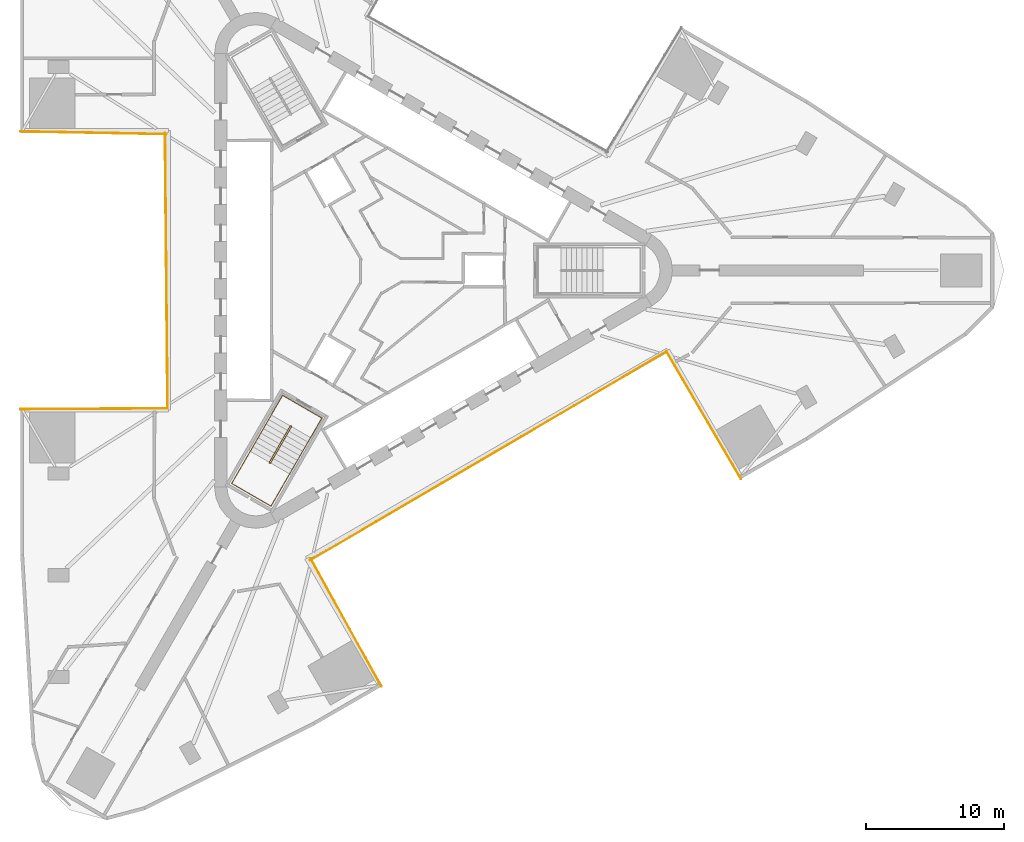
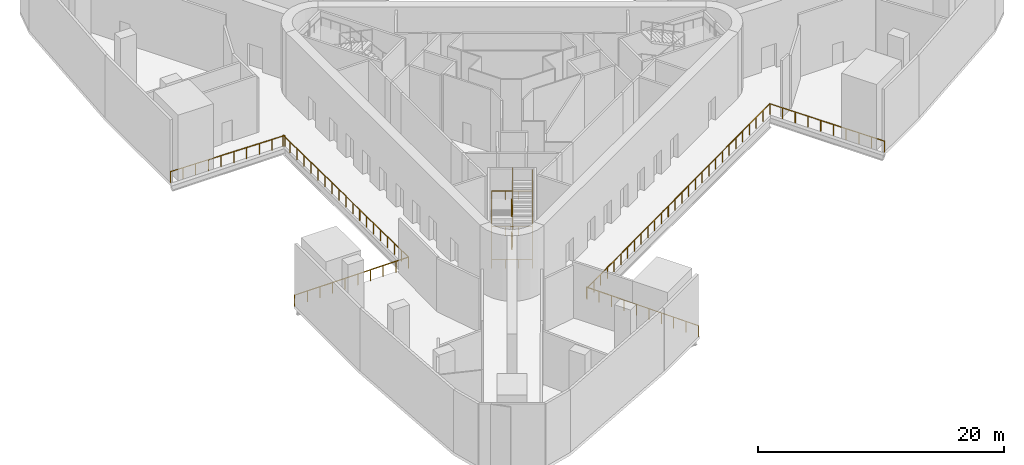
# One storey, part 9 of 11: 11 railings.
"""IFC4 building model written with IfcOpenShell, lengths in metres."""

from ifc_helpers import new_model, si_unit, direction, frame, origin, origin_2d, place, context, subcontext, project, spatial, circle, extrude, material, type_object, element, save


model = new_model("IFC4")

# Units and contexts
model_context = context("Model", 3, precision=1e-05, world=origin(), true_north=direction((0.0, 1.0)))
body_context = subcontext(model_context, "Body", "Model", "MODEL_VIEW")
ifc_project = project(units=[si_unit("LENGTHUNIT", "METRE"), si_unit("AREAUNIT", "SQUARE_METRE"), si_unit("VOLUMEUNIT", "CUBIC_METRE"), si_unit("PLANEANGLEUNIT", "RADIAN"), si_unit("MASSUNIT", "GRAM", prefix="KILO")], contexts=[model_context])

# Site, building, storey
site_placement = place(None, origin())
site = spatial("IfcSite", under=ifc_project, at=site_placement, CompositionType="ELEMENT")
building_placement = place(site_placement, origin())
building = spatial("IfcBuilding", under=site, at=building_placement, Name="Tanit Gate Tower", CompositionType="ELEMENT")
storey_placement = place(building_placement, frame((0.0, 0.0, 9.0)))
storey = spatial("IfcBuildingStorey", under=building, at=storey_placement, Name="L01", CompositionType="ELEMENT", Elevation=9.0)

# Railings
ifc_material_1 = material(Name="Stainless steel", Category="steel")
railing_type_1 = type_object("IfcRailingType", Name="Guard 1100 stainless steel balustrade", PredefinedType="GUARDRAIL", material=ifc_material_1)
railing_1_placement = place(storey_placement, frame((-5.103759765625, -20.9599609375, 0.0)))
element("IfcRailing", 1, at=railing_1_placement, inside=storey, type_object=railing_type_1, Name="Tunnel edge guard L01 1", PredefinedType="GUARDRAIL", context=body_context, shape_type="SweptSolid", body=[
    extrude(circle(Radius=0.02392578125, at=origin_2d()), frame((0.0, 0.0, 1.076171875), z_axis=(0.483623614037, -0.875276070703, 0.0), x_axis=(0.875276070703, 0.483623614037, 0.0)), (0.0, 0.0, 1.0), 10.63134765625),
    extrude(circle(Radius=0.02099609375, at=origin_2d()), origin(), (0.0, 0.0, 1.0), 1.052001953125),
    extrude(circle(Radius=0.02099609375, at=origin_2d()), frame((0.5712890625, -1.033935546875, 0.0)), (0.0, 0.0, 1.0), 1.052001953125),
    extrude(circle(Radius=0.02099609375, at=origin_2d()), frame((1.142578125, -2.06787109375, 0.0)), (0.0, 0.0, 1.0), 1.052001953125),
    extrude(circle(Radius=0.02099609375, at=origin_2d()), frame((1.7138671875, -3.101806640625, 0.0)), (0.0, 0.0, 1.0), 1.052001953125),
    extrude(circle(Radius=0.02099609375, at=origin_2d()), frame((2.28515625, -4.1357421875, 0.0)), (0.0, 0.0, 1.0), 1.052001953125),
    extrude(circle(Radius=0.02099609375, at=origin_2d()), frame((2.8564453125, -5.169677734375, 0.0)), (0.0, 0.0, 1.0), 1.052001953125),
    extrude(circle(Radius=0.02099609375, at=origin_2d()), frame((3.427734375, -6.20361328125, 0.0)), (0.0, 0.0, 1.0), 1.052001953125),
    extrude(circle(Radius=0.02099609375, at=origin_2d()), frame((3.9990234375, -7.237548828125, 0.0)), (0.0, 0.0, 1.0), 1.052001953125),
    extrude(circle(Radius=0.02099609375, at=origin_2d()), frame((4.5703125, -8.271484375, 0.0)), (0.0, 0.0, 1.0), 1.052001953125),
    extrude(circle(Radius=0.02099609375, at=origin_2d()), frame((5.1416015625, -9.305419921875, 0.0)), (0.0, 0.0, 1.0), 1.052001953125),
])
railing_2_placement = place(storey_placement, frame((26.190673828125, -15.16357421875, 0.0)))
element("IfcRailing", 2, at=railing_2_placement, inside=storey, type_object=railing_type_1, Name="Tunnel edge guard L01 2", PredefinedType="GUARDRAIL", context=body_context, shape_type="SweptSolid", body=[
    extrude(circle(Radius=0.02392578125, at=origin_2d()), frame((0.0, 0.0, 1.076171875), z_axis=(-0.50536532766, 0.862905490537, 0.0), x_axis=(-0.862905490537, -0.50536532766, 0.0)), (0.0, 0.0, 1.0), 10.721923828125),
    extrude(circle(Radius=0.02099609375, at=origin_2d()), origin(), (0.0, 0.0, 1.0), 1.052001953125),
    extrude(circle(Radius=0.02099609375, at=origin_2d()), frame((-0.60205078125, 1.028076171875, 0.0)), (0.0, 0.0, 1.0), 1.052001953125),
    extrude(circle(Radius=0.02099609375, at=origin_2d()), frame((-1.2041015625, 2.055908203125, 0.0)), (0.0, 0.0, 1.0), 1.052001953125),
    extrude(circle(Radius=0.02099609375, at=origin_2d()), frame((-1.80615234375, 3.083984375, 0.0)), (0.0, 0.0, 1.0), 1.052001953125),
    extrude(circle(Radius=0.02099609375, at=origin_2d()), frame((-2.408203125, 4.112060546875, 0.0)), (0.0, 0.0, 1.0), 1.052001953125),
    extrude(circle(Radius=0.02099609375, at=origin_2d()), frame((-3.01025390625, 5.139892578125, 0.0)), (0.0, 0.0, 1.0), 1.052001953125),
    extrude(circle(Radius=0.02099609375, at=origin_2d()), frame((-3.6123046875, 6.16796875, 0.0)), (0.0, 0.0, 1.0), 1.052001953125),
    extrude(circle(Radius=0.02099609375, at=origin_2d()), frame((-4.21435546875, 7.196044921875, 0.0)), (0.0, 0.0, 1.0), 1.052001953125),
    extrude(circle(Radius=0.02099609375, at=origin_2d()), frame((-4.81640625, 8.223876953125, 0.0)), (0.0, 0.0, 1.0), 1.052001953125),
    extrude(circle(Radius=0.02099609375, at=origin_2d()), frame((-5.41845703125, 9.251953125, 0.0)), (0.0, 0.0, 1.0), 1.052001953125),
])
railing_3_placement = place(storey_placement, frame((20.772216796875, -5.91162109375, 0.0)))
element("IfcRailing", 3, at=railing_3_placement, inside=storey, type_object=railing_type_1, Name="Tunnel edge guard L01 2", PredefinedType="GUARDRAIL", context=body_context, shape_type="SweptSolid", body=[
    extrude(circle(Radius=0.02392578125, at=origin_2d()), frame((0.0, 0.0, 1.076171875), z_axis=(-0.862766200983, -0.505603087848, 0.0), x_axis=(0.505603087848, -0.862766200983, 0.0)), (0.0, 0.0, 1.0), 10.01123046875),
    extrude(circle(Radius=0.02099609375, at=origin_2d()), origin(), (0.0, 0.0, 1.0), 1.052001953125),
    extrude(circle(Radius=0.02099609375, at=origin_2d()), frame((-0.959716796875, -0.5625, 0.0)), (0.0, 0.0, 1.0), 1.052001953125),
    extrude(circle(Radius=0.02099609375, at=origin_2d()), frame((-1.91943359375, -1.124755859375, 0.0)), (0.0, 0.0, 1.0), 1.052001953125),
    extrude(circle(Radius=0.02099609375, at=origin_2d()), frame((-2.879150390625, -1.687255859375, 0.0)), (0.0, 0.0, 1.0), 1.052001953125),
    extrude(circle(Radius=0.02099609375, at=origin_2d()), frame((-3.8388671875, -2.249755859375, 0.0)), (0.0, 0.0, 1.0), 1.052001953125),
    extrude(circle(Radius=0.02099609375, at=origin_2d()), frame((-4.798583984375, -2.81201171875, 0.0)), (0.0, 0.0, 1.0), 1.052001953125),
    extrude(circle(Radius=0.02099609375, at=origin_2d()), frame((-5.75830078125, -3.37451171875, 0.0)), (0.0, 0.0, 1.0), 1.052001953125),
    extrude(circle(Radius=0.02099609375, at=origin_2d()), frame((-6.718017578125, -3.93701171875, 0.0)), (0.0, 0.0, 1.0), 1.052001953125),
    extrude(circle(Radius=0.02099609375, at=origin_2d()), frame((-7.677734375, -4.499267578125, 0.0)), (0.0, 0.0, 1.0), 1.052001953125),
    extrude(circle(Radius=0.02099609375, at=origin_2d()), frame((-8.637451171875, -5.061767578125, 0.0)), (0.0, 0.0, 1.0), 1.052001953125),
])
railing_4_placement = place(storey_placement, frame((12.134765625, -10.973388671875, 0.0)))
element("IfcRailing", 4, at=railing_4_placement, inside=storey, type_object=railing_type_1, Name="Tunnel edge guard L01 2", PredefinedType="GUARDRAIL", context=body_context, shape_type="SweptSolid", body=[
    extrude(circle(Radius=0.02392578125, at=origin_2d()), frame((0.0, 0.0, 1.076171875), z_axis=(-0.862783072124, -0.505574297662, 0.0), x_axis=(0.505574297662, -0.862783072124, 0.0)), (0.0, 0.0, 1.0), 10.011474609375),
    extrude(circle(Radius=0.02099609375, at=origin_2d()), origin(), (0.0, 0.0, 1.0), 1.052001953125),
    extrude(circle(Radius=0.02099609375, at=origin_2d()), frame((-0.959716796875, -0.5625, 0.0)), (0.0, 0.0, 1.0), 1.052001953125),
    extrude(circle(Radius=0.02099609375, at=origin_2d()), frame((-1.91943359375, -1.124755859375, 0.0)), (0.0, 0.0, 1.0), 1.052001953125),
    extrude(circle(Radius=0.02099609375, at=origin_2d()), frame((-2.879150390625, -1.687255859375, 0.0)), (0.0, 0.0, 1.0), 1.052001953125),
    extrude(circle(Radius=0.02099609375, at=origin_2d()), frame((-3.8388671875, -2.24951171875, 0.0)), (0.0, 0.0, 1.0), 1.052001953125),
    extrude(circle(Radius=0.02099609375, at=origin_2d()), frame((-4.798828125, -2.81201171875, 0.0)), (0.0, 0.0, 1.0), 1.052001953125),
    extrude(circle(Radius=0.02099609375, at=origin_2d()), frame((-5.758544921875, -3.374267578125, 0.0)), (0.0, 0.0, 1.0), 1.052001953125),
    extrude(circle(Radius=0.02099609375, at=origin_2d()), frame((-6.71826171875, -3.936767578125, 0.0)), (0.0, 0.0, 1.0), 1.052001953125),
    extrude(circle(Radius=0.02099609375, at=origin_2d()), frame((-7.677978515625, -4.4990234375, 0.0)), (0.0, 0.0, 1.0), 1.052001953125),
    extrude(circle(Radius=0.02099609375, at=origin_2d()), frame((-8.6376953125, -5.0615234375, 0.0)), (0.0, 0.0, 1.0), 1.052001953125),
])
railing_5_placement = place(storey_placement, frame((3.4970703125, -16.034912109375, 0.0)))
element("IfcRailing", 5, at=railing_5_placement, inside=storey, type_object=railing_type_1, Name="Tunnel edge guard L01 2", PredefinedType="GUARDRAIL", context=body_context, shape_type="SweptSolid", body=[
    extrude(circle(Radius=0.02392578125, at=origin_2d()), frame((0.0, 0.0, 1.076171875), z_axis=(-0.862766200983, -0.505603087848, 0.0), x_axis=(0.505603087848, -0.862766200983, 0.0)), (0.0, 0.0, 1.0), 10.01123046875),
    extrude(circle(Radius=0.02099609375, at=origin_2d()), origin(), (0.0, 0.0, 1.0), 1.052001953125),
    extrude(circle(Radius=0.02099609375, at=origin_2d()), frame((-0.959716796875, -0.5625, 0.0)), (0.0, 0.0, 1.0), 1.052001953125),
    extrude(circle(Radius=0.02099609375, at=origin_2d()), frame((-1.91943359375, -1.124755859375, 0.0)), (0.0, 0.0, 1.0), 1.052001953125),
    extrude(circle(Radius=0.02099609375, at=origin_2d()), frame((-2.879150390625, -1.687255859375, 0.0)), (0.0, 0.0, 1.0), 1.052001953125),
    extrude(circle(Radius=0.02099609375, at=origin_2d()), frame((-3.8388671875, -2.249755859375, 0.0)), (0.0, 0.0, 1.0), 1.052001953125),
    extrude(circle(Radius=0.02099609375, at=origin_2d()), frame((-4.798583984375, -2.81201171875, 0.0)), (0.0, 0.0, 1.0), 1.052001953125),
    extrude(circle(Radius=0.02099609375, at=origin_2d()), frame((-5.75830078125, -3.37451171875, 0.0)), (0.0, 0.0, 1.0), 1.052001953125),
    extrude(circle(Radius=0.02099609375, at=origin_2d()), frame((-6.718017578125, -3.93701171875, 0.0)), (0.0, 0.0, 1.0), 1.052001953125),
    extrude(circle(Radius=0.02099609375, at=origin_2d()), frame((-7.677734375, -4.499267578125, 0.0)), (0.0, 0.0, 1.0), 1.052001953125),
    extrude(circle(Radius=0.02099609375, at=origin_2d()), frame((-8.637451171875, -5.061767578125, 0.0)), (0.0, 0.0, 1.0), 1.052001953125),
])
railing_6_placement = place(storey_placement, frame((-15.60009765625, 9.89990234375, 0.0)))
element("IfcRailing", 6, at=railing_6_placement, inside=storey, type_object=railing_type_1, Name="Tunnel edge guard L01 3", PredefinedType="GUARDRAIL", context=body_context, shape_type="SweptSolid", body=[
    extrude(circle(Radius=0.02392578125, at=origin_2d()), frame((0.0, 0.0, 1.076171875), z_axis=(-0.99982266881, 0.018831647106, 0.0), x_axis=(-0.018831647106, -0.99982266881, 0.0)), (0.0, 0.0, 1.0), 10.630859375),
    extrude(circle(Radius=0.02099609375, at=origin_2d()), origin(), (0.0, 0.0, 1.0), 1.052001953125),
    extrude(circle(Radius=0.02099609375, at=origin_2d()), frame((-1.180908203125, 0.022216796875, 0.0)), (0.0, 0.0, 1.0), 1.052001953125),
    extrude(circle(Radius=0.02099609375, at=origin_2d()), frame((-2.362060546875, 0.04443359375, 0.0)), (0.0, 0.0, 1.0), 1.052001953125),
    extrude(circle(Radius=0.02099609375, at=origin_2d()), frame((-3.54296875, 0.066650390625, 0.0)), (0.0, 0.0, 1.0), 1.052001953125),
    extrude(circle(Radius=0.02099609375, at=origin_2d()), frame((-4.723876953125, 0.0888671875, 0.0)), (0.0, 0.0, 1.0), 1.052001953125),
    extrude(circle(Radius=0.02099609375, at=origin_2d()), frame((-5.905029296875, 0.111328125, 0.0)), (0.0, 0.0, 1.0), 1.052001953125),
    extrude(circle(Radius=0.02099609375, at=origin_2d()), frame((-7.0859375, 0.133544921875, 0.0)), (0.0, 0.0, 1.0), 1.052001953125),
    extrude(circle(Radius=0.02099609375, at=origin_2d()), frame((-8.266845703125, 0.15576171875, 0.0)), (0.0, 0.0, 1.0), 1.052001953125),
    extrude(circle(Radius=0.02099609375, at=origin_2d()), frame((-9.447998046875, 0.177978515625, 0.0)), (0.0, 0.0, 1.0), 1.052001953125),
    extrude(circle(Radius=0.02099609375, at=origin_2d()), frame((-10.62890625, 0.2001953125, 0.0)), (0.0, 0.0, 1.0), 1.052001953125),
])
railing_7_placement = place(storey_placement, frame((-26.227783203125, -10.10009765625, 0.0)))
element("IfcRailing", 7, at=railing_7_placement, inside=storey, type_object=railing_type_1, Name="Tunnel edge guard L01 4", PredefinedType="GUARDRAIL", context=body_context, shape_type="SweptSolid", body=[
    extrude(circle(Radius=0.02392578125, at=origin_2d()), frame((0.0, 0.0, 1.076171875), z_axis=(0.999987666554, 0.004966562124, 0.0), x_axis=(-0.004966562124, 0.999987666554, 0.0)), (0.0, 0.0, 1.0), 10.71630859375),
    extrude(circle(Radius=0.02099609375, at=origin_2d()), origin(), (0.0, 0.0, 1.0), 1.052001953125),
    extrude(circle(Radius=0.02099609375, at=origin_2d()), frame((1.190673828125, 0.005859375, 0.0)), (0.0, 0.0, 1.0), 1.052001953125),
    extrude(circle(Radius=0.02099609375, at=origin_2d()), frame((2.38134765625, 0.01171875, 0.0)), (0.0, 0.0, 1.0), 1.052001953125),
    extrude(circle(Radius=0.02099609375, at=origin_2d()), frame((3.572021484375, 0.017822265625, 0.0)), (0.0, 0.0, 1.0), 1.052001953125),
    extrude(circle(Radius=0.02099609375, at=origin_2d()), frame((4.7626953125, 0.023681640625, 0.0)), (0.0, 0.0, 1.0), 1.052001953125),
    extrude(circle(Radius=0.02099609375, at=origin_2d()), frame((5.953369140625, 0.029541015625, 0.0)), (0.0, 0.0, 1.0), 1.052001953125),
    extrude(circle(Radius=0.02099609375, at=origin_2d()), frame((7.14404296875, 0.035400390625, 0.0)), (0.0, 0.0, 1.0), 1.052001953125),
    extrude(circle(Radius=0.02099609375, at=origin_2d()), frame((8.334716796875, 0.04150390625, 0.0)), (0.0, 0.0, 1.0), 1.052001953125),
    extrude(circle(Radius=0.02099609375, at=origin_2d()), frame((9.525390625, 0.04736328125, 0.0)), (0.0, 0.0, 1.0), 1.052001953125),
    extrude(circle(Radius=0.02099609375, at=origin_2d()), frame((10.716064453125, 0.05322265625, 0.0)), (0.0, 0.0, 1.0), 1.052001953125),
])
railing_8_placement = place(storey_placement, frame((-15.51171875, -10.046875, 0.0)))
element("IfcRailing", 8, at=railing_8_placement, inside=storey, type_object=railing_type_1, Name="Tunnel edge guard L01 4", PredefinedType="GUARDRAIL", context=body_context, shape_type="SweptSolid", body=[
    extrude(circle(Radius=0.02392578125, at=origin_2d()), frame((0.0, 0.0, 1.076171875), z_axis=(-0.009401377171, 0.999955806077, 0.0), x_axis=(-0.999955806077, -0.009401377171, 0.0)), (0.0, 0.0, 1.0), 10.02392578125),
    extrude(circle(Radius=0.02099609375, at=origin_2d()), origin(), (0.0, 0.0, 1.0), 1.052001953125),
    extrude(circle(Radius=0.02099609375, at=origin_2d()), frame((-0.010498046875, 1.11376953125, 0.0)), (0.0, 0.0, 1.0), 1.052001953125),
    extrude(circle(Radius=0.02099609375, at=origin_2d()), frame((-0.02099609375, 2.2275390625, 0.0)), (0.0, 0.0, 1.0), 1.052001953125),
    extrude(circle(Radius=0.02099609375, at=origin_2d()), frame((-0.031494140625, 3.341064453125, 0.0)), (0.0, 0.0, 1.0), 1.052001953125),
    extrude(circle(Radius=0.02099609375, at=origin_2d()), frame((-0.0419921875, 4.454833984375, 0.0)), (0.0, 0.0, 1.0), 1.052001953125),
    extrude(circle(Radius=0.02099609375, at=origin_2d()), frame((-0.05224609375, 5.568603515625, 0.0)), (0.0, 0.0, 1.0), 1.052001953125),
    extrude(circle(Radius=0.02099609375, at=origin_2d()), frame((-0.062744140625, 6.682373046875, 0.0)), (0.0, 0.0, 1.0), 1.052001953125),
    extrude(circle(Radius=0.02099609375, at=origin_2d()), frame((-0.0732421875, 7.7958984375, 0.0)), (0.0, 0.0, 1.0), 1.052001953125),
    extrude(circle(Radius=0.02099609375, at=origin_2d()), frame((-0.083740234375, 8.90966796875, 0.0)), (0.0, 0.0, 1.0), 1.052001953125),
    extrude(circle(Radius=0.02099609375, at=origin_2d()), frame((-0.09423828125, 10.0234375, 0.0)), (0.0, 0.0, 1.0), 1.052001953125),
])
railing_9_placement = place(storey_placement, frame((-15.60595703125, -0.0234375, 0.0)))
element("IfcRailing", 9, at=railing_9_placement, inside=storey, type_object=railing_type_1, Name="Tunnel edge guard L01 4", PredefinedType="GUARDRAIL", context=body_context, shape_type="SweptSolid", body=[
    extrude(circle(Radius=0.02392578125, at=origin_2d()), frame((0.0, 0.0, 1.076171875), z_axis=(-0.009377023416, 0.999956034749, 0.0), x_axis=(-0.999956034749, -0.009377023416, 0.0)), (0.0, 0.0, 1.0), 10.02392578125),
    extrude(circle(Radius=0.02099609375, at=origin_2d()), origin(), (0.0, 0.0, 1.0), 1.052001953125),
    extrude(circle(Radius=0.02099609375, at=origin_2d()), frame((-0.010498046875, 1.11376953125, 0.0)), (0.0, 0.0, 1.0), 1.052001953125),
    extrude(circle(Radius=0.02099609375, at=origin_2d()), frame((-0.02099609375, 2.2275390625, 0.0)), (0.0, 0.0, 1.0), 1.052001953125),
    extrude(circle(Radius=0.02099609375, at=origin_2d()), frame((-0.03125, 3.341064453125, 0.0)), (0.0, 0.0, 1.0), 1.052001953125),
    extrude(circle(Radius=0.02099609375, at=origin_2d()), frame((-0.041748046875, 4.454833984375, 0.0)), (0.0, 0.0, 1.0), 1.052001953125),
    extrude(circle(Radius=0.02099609375, at=origin_2d()), frame((-0.05224609375, 5.568603515625, 0.0)), (0.0, 0.0, 1.0), 1.052001953125),
    extrude(circle(Radius=0.02099609375, at=origin_2d()), frame((-0.062744140625, 6.682373046875, 0.0)), (0.0, 0.0, 1.0), 1.052001953125),
    extrude(circle(Radius=0.02099609375, at=origin_2d()), frame((-0.072998046875, 7.7958984375, 0.0)), (0.0, 0.0, 1.0), 1.052001953125),
    extrude(circle(Radius=0.02099609375, at=origin_2d()), frame((-0.08349609375, 8.90966796875, 0.0)), (0.0, 0.0, 1.0), 1.052001953125),
    extrude(circle(Radius=0.02099609375, at=origin_2d()), frame((-0.093994140625, 10.0234375, 0.0)), (0.0, 0.0, 1.0), 1.052001953125),
])
ifc_material_2 = material(Name="Stainless steel balustrade", Category="steel")
railing_type_2 = type_object("IfcRailingType", Name="INT-STAIR-GUARD", PredefinedType="GUARDRAIL", material=ifc_material_2)
railing_10_placement = place(storey_placement, frame((-6.51806640625, -11.2998046875, 0.0)))
element("IfcRailing", 10, at=railing_10_placement, inside=storey, type_object=railing_type_2, Name="L01 S3 stair guard 1", PredefinedType="GUARDRAIL", context=body_context, shape_type="SweptSolid", body=[
    extrude(circle(Radius=0.02392578125, at=origin_2d()), frame((0.0, 0.0, 1.076171875), z_axis=(-0.874157276122, 0.485642931179, 0.0), x_axis=(-0.485642931179, -0.874157276122, 0.0)), (0.0, 0.0, 1.0), 0.010009765625),
    extrude(circle(Radius=0.02392578125, at=origin_2d()), frame((-0.0087890625, 0.0048828125, 1.076171875), z_axis=(-0.352354325027, -0.093122214471, 0.931222144714), x_axis=(0.255512919477, -0.966805641264, 0.0)), (0.0, 0.0, 1.0), 0.194091796875),
    extrude(circle(Radius=0.02392578125, at=origin_2d()), frame((-0.0771484375, -0.01318359375, 1.2568359375), z_axis=(-0.451883759621, -0.782768554797, 0.42787201055), x_axis=(0.866048339477, -0.499960272111, 0.0)), (0.0, 0.0, 1.0), 3.375732421875),
    extrude(circle(Radius=0.02392578125, at=origin_2d()), frame((-1.6025390625, -2.655517578125, 2.701171875), z_axis=(0.258736085224, -0.965948051503, 0.0), x_axis=(0.965948051503, 0.258736085224, 0.0)), (0.0, 0.0, 1.0), 0.07080078125),
    extrude(circle(Radius=0.02392578125, at=origin_2d()), frame((-1.584228515625, -2.723876953125, 2.701171875), z_axis=(0.868243142124, -0.496138938357, 0.0), x_axis=(0.496138938357, 0.868243142124, 0.0)), (0.0, 0.0, 1.0), 0.009765625),
    extrude(circle(Radius=0.02392578125, at=origin_2d()), frame((-1.57568359375, -2.728759765625, 2.701171875), z_axis=(0.352312762477, 0.094369489949, 0.931112300833), x_axis=(-0.258736085224, 0.965948051503, 0.0)), (0.0, 0.0, 1.0), 0.194091796875),
    extrude(circle(Radius=0.02392578125, at=origin_2d()), frame((-1.50732421875, -2.71044921875, 2.8818359375), z_axis=(0.451966897993, 0.782714957606, 0.427882248124), x_axis=(-0.865993683553, 0.500054937028, 0.0)), (0.0, 0.0, 1.0), 3.37548828125),
    extrude(circle(Radius=0.02392578125, at=origin_2d()), frame((0.018310546875, -0.068359375, 4.326171875), z_axis=(-0.258736085224, 0.965948051503, 0.0), x_axis=(-0.965948051503, -0.258736085224, 0.0)), (0.0, 0.0, 1.0), 0.07080078125),
    extrude(circle(Radius=0.02392578125, at=origin_2d()), frame((0.0, 0.0, 4.326171875), z_axis=(-0.874157276122, 0.485642931179, 0.0), x_axis=(-0.485642931179, -0.874157276122, 0.0)), (0.0, 0.0, 1.0), 0.010009765625),
    extrude(circle(Radius=0.02392578125, at=origin_2d()), frame((-0.0087890625, 0.0048828125, 4.326171875), z_axis=(-0.352354325027, -0.093122214471, 0.931222144714), x_axis=(0.255512919477, -0.966805641264, 0.0)), (0.0, 0.0, 1.0), 0.194091796875),
    extrude(circle(Radius=0.02392578125, at=origin_2d()), frame((-0.0771484375, -0.01318359375, 4.5068359375), z_axis=(-0.451883759621, -0.782768554797, 0.42787201055), x_axis=(0.866048339477, -0.499960272111, 0.0)), (0.0, 0.0, 1.0), 3.375732421875),
    extrude(circle(Radius=0.02392578125, at=origin_2d()), frame((-1.6025390625, -2.655517578125, 5.951171875), z_axis=(0.258736085224, -0.965948051503, 0.0), x_axis=(0.965948051503, 0.258736085224, 0.0)), (0.0, 0.0, 1.0), 0.07080078125),
    extrude(circle(Radius=0.02392578125, at=origin_2d()), frame((-1.584228515625, -2.723876953125, 5.951171875), z_axis=(0.868243142124, -0.496138938357, 0.0), x_axis=(0.496138938357, 0.868243142124, 0.0)), (0.0, 0.0, 1.0), 0.009765625),
    extrude(circle(Radius=0.02392578125, at=origin_2d()), frame((-1.57568359375, -2.728759765625, 5.951171875), z_axis=(0.352312762477, 0.094369489949, 0.931112300833), x_axis=(-0.258736085224, 0.965948051503, 0.0)), (0.0, 0.0, 1.0), 0.194091796875),
    extrude(circle(Radius=0.02392578125, at=origin_2d()), frame((-1.50732421875, -2.71044921875, 6.1318359375), z_axis=(0.451966897993, 0.782714957606, 0.427882248124), x_axis=(-0.865993683553, 0.500054937028, 0.0)), (0.0, 0.0, 1.0), 3.37548828125),
    extrude(circle(Radius=0.02099609375, at=origin_2d()), origin(), (0.0, 0.0, 1.0), 1.052001953125),
    extrude(circle(Radius=0.02099609375, at=origin_2d()), frame((-0.0087890625, 0.0048828125, 0.0)), (0.0, 0.0, 1.0), 1.052001953125),
    extrude(circle(Radius=0.02099609375, at=origin_2d()), frame((-0.0771484375, -0.01318359375, 0.1806640625)), (0.0, 0.0, 1.0), 1.052001953125),
    extrude(circle(Radius=0.02099609375, at=origin_2d()), frame((-0.585693359375, -0.89404296875, 0.662109375)), (0.0, 0.0, 1.0), 1.052001953125),
    extrude(circle(Radius=0.02099609375, at=origin_2d()), frame((-1.093994140625, -1.774658203125, 1.1435546875)), (0.0, 0.0, 1.0), 1.052001953125),
    extrude(circle(Radius=0.02099609375, at=origin_2d()), frame((-1.6025390625, -2.655517578125, 1.625)), (0.0, 0.0, 1.0), 1.052001953125),
    extrude(circle(Radius=0.02099609375, at=origin_2d()), frame((-1.584228515625, -2.723876953125, 1.625)), (0.0, 0.0, 1.0), 1.052001953125),
    extrude(circle(Radius=0.02099609375, at=origin_2d()), frame((-1.57568359375, -2.728759765625, 1.625)), (0.0, 0.0, 1.0), 1.052001953125),
    extrude(circle(Radius=0.02099609375, at=origin_2d()), frame((-1.50732421875, -2.71044921875, 1.8056640625)), (0.0, 0.0, 1.0), 1.052001953125),
    extrude(circle(Radius=0.02099609375, at=origin_2d()), frame((-0.998779296875, -1.829833984375, 2.287109375)), (0.0, 0.0, 1.0), 1.052001953125),
    extrude(circle(Radius=0.02099609375, at=origin_2d()), frame((-0.490234375, -0.948974609375, 2.7685546875)), (0.0, 0.0, 1.0), 1.052001953125),
    extrude(circle(Radius=0.02099609375, at=origin_2d()), frame((0.018310546875, -0.068359375, 3.25)), (0.0, 0.0, 1.0), 1.052001953125),
    extrude(circle(Radius=0.02099609375, at=origin_2d()), frame((0.0, 0.0, 3.25)), (0.0, 0.0, 1.0), 1.052001953125),
    extrude(circle(Radius=0.02099609375, at=origin_2d()), frame((-0.0087890625, 0.0048828125, 3.25)), (0.0, 0.0, 1.0), 1.052001953125),
    extrude(circle(Radius=0.02099609375, at=origin_2d()), frame((-0.0771484375, -0.01318359375, 3.4306640625)), (0.0, 0.0, 1.0), 1.052001953125),
    extrude(circle(Radius=0.02099609375, at=origin_2d()), frame((-0.585693359375, -0.89404296875, 3.912109375)), (0.0, 0.0, 1.0), 1.052001953125),
    extrude(circle(Radius=0.02099609375, at=origin_2d()), frame((-1.093994140625, -1.774658203125, 4.3935546875)), (0.0, 0.0, 1.0), 1.052001953125),
    extrude(circle(Radius=0.02099609375, at=origin_2d()), frame((-1.6025390625, -2.655517578125, 4.875)), (0.0, 0.0, 1.0), 1.052001953125),
    extrude(circle(Radius=0.02099609375, at=origin_2d()), frame((-1.584228515625, -2.723876953125, 4.875)), (0.0, 0.0, 1.0), 1.052001953125),
    extrude(circle(Radius=0.02099609375, at=origin_2d()), frame((-1.57568359375, -2.728759765625, 4.875)), (0.0, 0.0, 1.0), 1.052001953125),
    extrude(circle(Radius=0.02099609375, at=origin_2d()), frame((-1.50732421875, -2.71044921875, 5.0556640625)), (0.0, 0.0, 1.0), 1.052001953125),
    extrude(circle(Radius=0.02099609375, at=origin_2d()), frame((-0.998779296875, -1.829833984375, 5.537109375)), (0.0, 0.0, 1.0), 1.052001953125),
    extrude(circle(Radius=0.02099609375, at=origin_2d()), frame((-0.490234375, -0.948974609375, 6.0185546875)), (0.0, 0.0, 1.0), 1.052001953125),
    extrude(circle(Radius=0.02099609375, at=origin_2d()), frame((0.018310546875, -0.068359375, 6.5)), (0.0, 0.0, 1.0), 1.052001953125),
])
ifc_material_3 = material(Name="Stainless steel handrail", Category="steel")
railing_type_3 = type_object("IfcRailingType", Name="INT-STAIR-HANDRAIL", PredefinedType="HANDRAIL", material=ifc_material_3)
railing_11_placement = place(storey_placement, frame((-7.9765625, -10.515625, 0.1806640625)))
element("IfcRailing", 11, at=railing_11_placement, inside=storey, type_object=railing_type_3, Name="L01 S3 stair handrail 1", PredefinedType="HANDRAIL", context=body_context, shape_type="SweptSolid", body=[
    extrude(circle(Radius=0.02392578125, at=origin_2d()), frame((0.0, 0.0, 0.8759765625), z_axis=(-0.451883759621, -0.782768554797, 0.42787201055), x_axis=(0.866048339477, -0.499960272111, 0.0)), (0.0, 0.0, 1.0), 3.375732421875),
    extrude(circle(Radius=0.02392578125, at=origin_2d()), frame((-1.525390625, -2.642333984375, 2.3203125), z_axis=(-0.50004290449, -0.866000631449, 0.0), x_axis=(0.866000631449, -0.50004290449, 0.0)), (0.0, 0.0, 1.0), 2.703857421875),
    extrude(circle(Radius=0.02392578125, at=origin_2d()), frame((-2.87744140625, -4.98388671875, 2.3203125), z_axis=(0.866008176907, -0.50002983664, 0.0), x_axis=(0.50002983664, 0.866008176907, 0.0)), (0.0, 0.0, 1.0), 3.300048828125),
    extrude(circle(Radius=0.02392578125, at=origin_2d()), frame((-0.01953125, -6.634033203125, 2.3203125), z_axis=(0.49889157194, 0.864096778267, 0.066663012502), x_axis=(-0.866023205937, 0.500003806764, 0.0)), (0.0, 0.0, 1.0), 2.710205078125),
    extrude(circle(Radius=0.02392578125, at=origin_2d()), frame((1.33251953125, -4.292236328125, 2.5009765625), z_axis=(0.451883759621, 0.782768554797, 0.42787201055), x_axis=(-0.866048339477, 0.499960272111, 0.0)), (0.0, 0.0, 1.0), 3.375732421875),
    extrude(circle(Radius=0.02392578125, at=origin_2d()), frame((2.85791015625, -1.64990234375, 3.9453125), z_axis=(0.50001794124, 0.866015045157, 0.0), x_axis=(-0.866015045157, 0.50001794124, 0.0)), (0.0, 0.0, 1.0), 1.64501953125),
    extrude(circle(Radius=0.02392578125, at=origin_2d()), frame((3.680419921875, -0.225341796875, 3.9453125), z_axis=(-0.866040211805, 0.499974350878, 0.0), x_axis=(-0.499974350878, -0.866040211805, 0.0)), (0.0, 0.0, 1.0), 3.300048828125),
    extrude(circle(Radius=0.02392578125, at=origin_2d()), frame((0.822509765625, 1.424560546875, 3.9453125), z_axis=(-0.49702925189, -0.860838731012, 0.109172349777), x_axis=(0.866015045157, -0.50001794124, 0.0)), (0.0, 0.0, 1.0), 1.65478515625),
    extrude(circle(Radius=0.02392578125, at=origin_2d()), frame((0.0, 0.0, 4.1259765625), z_axis=(-0.451883759621, -0.782768554797, 0.42787201055), x_axis=(0.866048339477, -0.499960272111, 0.0)), (0.0, 0.0, 1.0), 3.375732421875),
    extrude(circle(Radius=0.02392578125, at=origin_2d()), frame((-1.525390625, -2.642333984375, 5.5703125), z_axis=(-0.50004290449, -0.866000631449, 0.0), x_axis=(0.866000631449, -0.50004290449, 0.0)), (0.0, 0.0, 1.0), 2.703857421875),
    extrude(circle(Radius=0.02392578125, at=origin_2d()), frame((-2.87744140625, -4.98388671875, 5.5703125), z_axis=(0.866008176907, -0.50002983664, 0.0), x_axis=(0.50002983664, 0.866008176907, 0.0)), (0.0, 0.0, 1.0), 3.300048828125),
    extrude(circle(Radius=0.02392578125, at=origin_2d()), frame((-0.01953125, -6.634033203125, 5.5703125), z_axis=(0.49889157194, 0.864096778267, 0.066663012502), x_axis=(-0.866023205937, 0.500003806764, 0.0)), (0.0, 0.0, 1.0), 2.710205078125),
    extrude(circle(Radius=0.02392578125, at=origin_2d()), frame((1.33251953125, -4.292236328125, 5.7509765625), z_axis=(0.451883759621, 0.782768554797, 0.42787201055), x_axis=(-0.866048339477, 0.499960272111, 0.0)), (0.0, 0.0, 1.0), 3.375732421875),
    extrude(circle(Radius=0.02099609375, at=origin_2d()), origin(), (0.0, 0.0, 1.0), 0.851806640625),
    extrude(circle(Radius=0.02099609375, at=origin_2d()), frame((-0.508544921875, -0.880859375, 0.4814453125)), (0.0, 0.0, 1.0), 0.851806640625),
    extrude(circle(Radius=0.02099609375, at=origin_2d()), frame((-1.016845703125, -1.761474609375, 0.962890625)), (0.0, 0.0, 1.0), 0.851806640625),
    extrude(circle(Radius=0.02099609375, at=origin_2d()), frame((-1.525390625, -2.642333984375, 1.4443359375)), (0.0, 0.0, 1.0), 0.851806640625),
    extrude(circle(Radius=0.02099609375, at=origin_2d()), frame((-1.97607421875, -3.4228515625, 1.4443359375)), (0.0, 0.0, 1.0), 0.851806640625),
    extrude(circle(Radius=0.02099609375, at=origin_2d()), frame((-2.4267578125, -4.203369140625, 1.4443359375)), (0.0, 0.0, 1.0), 0.851806640625),
    extrude(circle(Radius=0.02099609375, at=origin_2d()), frame((-2.87744140625, -4.98388671875, 1.4443359375)), (0.0, 0.0, 1.0), 0.851806640625),
    extrude(circle(Radius=0.02099609375, at=origin_2d()), frame((-1.9248046875, -5.533935546875, 1.4443359375)), (0.0, 0.0, 1.0), 0.851806640625),
    extrude(circle(Radius=0.02099609375, at=origin_2d()), frame((-0.97216796875, -6.083984375, 1.4443359375)), (0.0, 0.0, 1.0), 0.851806640625),
    extrude(circle(Radius=0.02099609375, at=origin_2d()), frame((-0.01953125, -6.634033203125, 1.4443359375)), (0.0, 0.0, 1.0), 0.851806640625),
    extrude(circle(Radius=0.02099609375, at=origin_2d()), frame((0.43115234375, -5.853515625, 1.504638671875)), (0.0, 0.0, 1.0), 0.851806640625),
    extrude(circle(Radius=0.02099609375, at=origin_2d()), frame((0.8818359375, -5.07275390625, 1.564697265625)), (0.0, 0.0, 1.0), 0.851806640625),
    extrude(circle(Radius=0.02099609375, at=origin_2d()), frame((1.33251953125, -4.292236328125, 1.625)), (0.0, 0.0, 1.0), 0.851806640625),
    extrude(circle(Radius=0.02099609375, at=origin_2d()), frame((1.841064453125, -3.411376953125, 2.1064453125)), (0.0, 0.0, 1.0), 0.851806640625),
    extrude(circle(Radius=0.02099609375, at=origin_2d()), frame((2.349365234375, -2.53076171875, 2.587890625)), (0.0, 0.0, 1.0), 0.851806640625),
    extrude(circle(Radius=0.02099609375, at=origin_2d()), frame((2.85791015625, -1.64990234375, 3.0693359375)), (0.0, 0.0, 1.0), 0.851806640625),
    extrude(circle(Radius=0.02099609375, at=origin_2d()), frame((3.26904296875, -0.9375, 3.0693359375)), (0.0, 0.0, 1.0), 0.851806640625),
    extrude(circle(Radius=0.02099609375, at=origin_2d()), frame((3.680419921875, -0.225341796875, 3.0693359375)), (0.0, 0.0, 1.0), 0.851806640625),
    extrude(circle(Radius=0.02099609375, at=origin_2d()), frame((2.727783203125, 0.32470703125, 3.0693359375)), (0.0, 0.0, 1.0), 0.851806640625),
    extrude(circle(Radius=0.02099609375, at=origin_2d()), frame((1.775146484375, 0.87451171875, 3.0693359375)), (0.0, 0.0, 1.0), 0.851806640625),
    extrude(circle(Radius=0.02099609375, at=origin_2d()), frame((0.822509765625, 1.424560546875, 3.0693359375)), (0.0, 0.0, 1.0), 0.851806640625),
    extrude(circle(Radius=0.02099609375, at=origin_2d()), frame((0.4111328125, 0.71240234375, 3.15966796875)), (0.0, 0.0, 1.0), 0.851806640625),
    extrude(circle(Radius=0.02099609375, at=origin_2d()), frame((0.0, 0.0, 3.25)), (0.0, 0.0, 1.0), 0.851806640625),
    extrude(circle(Radius=0.02099609375, at=origin_2d()), frame((-0.508544921875, -0.880859375, 3.7314453125)), (0.0, 0.0, 1.0), 0.851806640625),
    extrude(circle(Radius=0.02099609375, at=origin_2d()), frame((-1.016845703125, -1.761474609375, 4.212890625)), (0.0, 0.0, 1.0), 0.851806640625),
    extrude(circle(Radius=0.02099609375, at=origin_2d()), frame((-1.525390625, -2.642333984375, 4.6943359375)), (0.0, 0.0, 1.0), 0.851806640625),
    extrude(circle(Radius=0.02099609375, at=origin_2d()), frame((-1.97607421875, -3.4228515625, 4.6943359375)), (0.0, 0.0, 1.0), 0.851806640625),
    extrude(circle(Radius=0.02099609375, at=origin_2d()), frame((-2.4267578125, -4.203369140625, 4.6943359375)), (0.0, 0.0, 1.0), 0.851806640625),
    extrude(circle(Radius=0.02099609375, at=origin_2d()), frame((-2.87744140625, -4.98388671875, 4.6943359375)), (0.0, 0.0, 1.0), 0.851806640625),
    extrude(circle(Radius=0.02099609375, at=origin_2d()), frame((-1.9248046875, -5.533935546875, 4.6943359375)), (0.0, 0.0, 1.0), 0.851806640625),
    extrude(circle(Radius=0.02099609375, at=origin_2d()), frame((-0.97216796875, -6.083984375, 4.6943359375)), (0.0, 0.0, 1.0), 0.851806640625),
    extrude(circle(Radius=0.02099609375, at=origin_2d()), frame((-0.01953125, -6.634033203125, 4.6943359375)), (0.0, 0.0, 1.0), 0.851806640625),
    extrude(circle(Radius=0.02099609375, at=origin_2d()), frame((0.43115234375, -5.853515625, 4.754638671875)), (0.0, 0.0, 1.0), 0.851806640625),
    extrude(circle(Radius=0.02099609375, at=origin_2d()), frame((0.8818359375, -5.07275390625, 4.814697265625)), (0.0, 0.0, 1.0), 0.851806640625),
    extrude(circle(Radius=0.02099609375, at=origin_2d()), frame((1.33251953125, -4.292236328125, 4.875)), (0.0, 0.0, 1.0), 0.851806640625),
    extrude(circle(Radius=0.02099609375, at=origin_2d()), frame((1.841064453125, -3.411376953125, 5.3564453125)), (0.0, 0.0, 1.0), 0.851806640625),
    extrude(circle(Radius=0.02099609375, at=origin_2d()), frame((2.349365234375, -2.53076171875, 5.837890625)), (0.0, 0.0, 1.0), 0.851806640625),
    extrude(circle(Radius=0.02099609375, at=origin_2d()), frame((2.85791015625, -1.64990234375, 6.3193359375)), (0.0, 0.0, 1.0), 0.851806640625),
])

save(model, "model.ifc")
